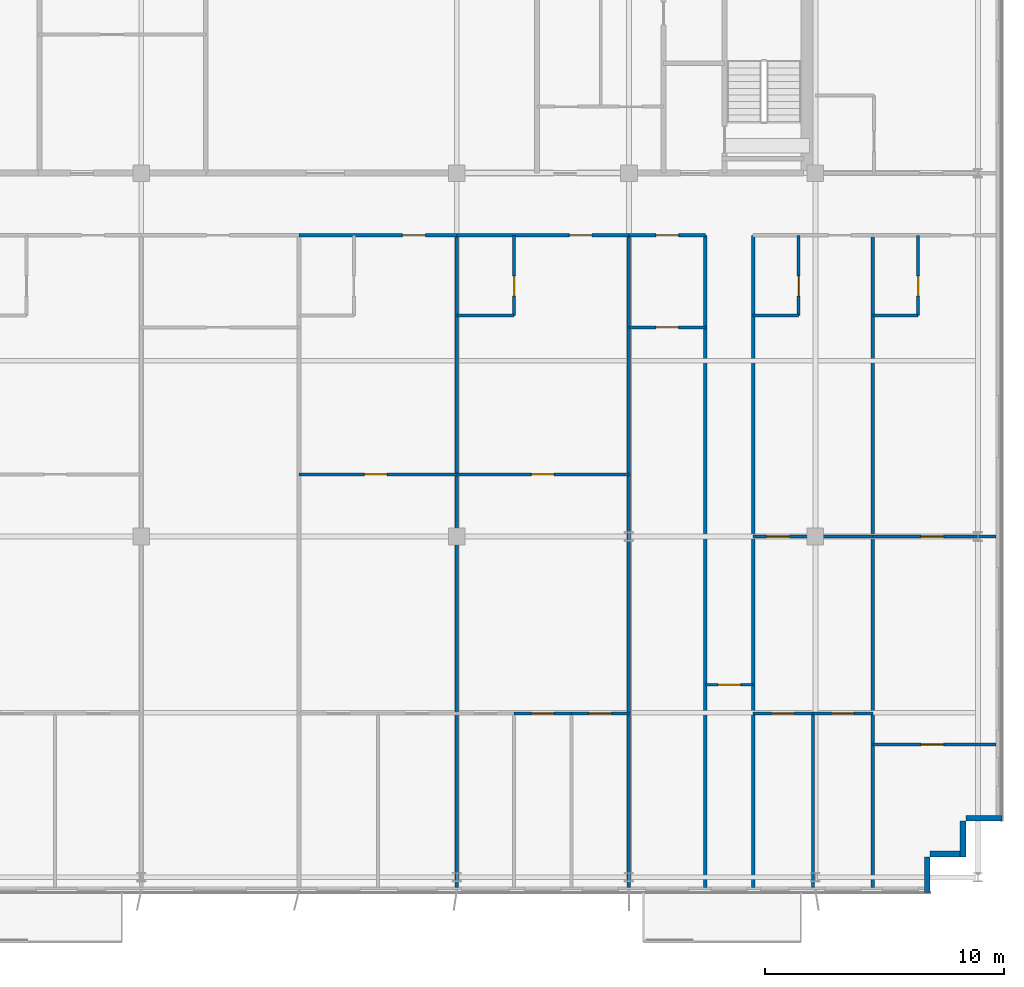
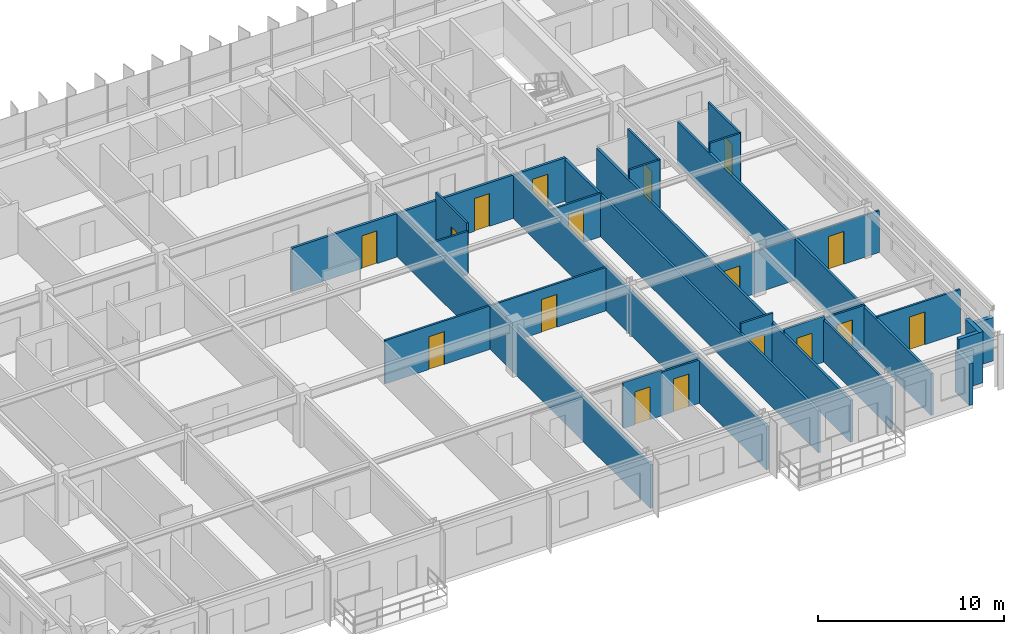
# One storey, part 17 of 22: 30 walls, 17 doors, 17 openings.
"""IFC4 building model written with IfcOpenShell, lengths in metres."""

from ifc_helpers import new_model, si_unit, direction, frame, frame_2d, origin, place, context, subcontext, project, spatial, rectangle, extrude, source, transform, mapped, material, layer, layer_set, type_object, element, fill, save


model = new_model("IFC4")

# Units and contexts
model_context = context("Model", 3, precision=1e-05, world=origin(), true_north=direction((0.0, 1.0)))
body_context = subcontext(model_context, "Body", "Model", "MODEL_VIEW")
ifc_project = project(units=[si_unit("LENGTHUNIT", "METRE"), si_unit("AREAUNIT", "SQUARE_METRE"), si_unit("VOLUMEUNIT", "CUBIC_METRE"), si_unit("PLANEANGLEUNIT", "RADIAN"), si_unit("MASSUNIT", "GRAM", prefix="KILO")], contexts=[model_context])

# Site, building, storey
site_placement = place(None, origin())
site = spatial("IfcSite", under=ifc_project, at=site_placement, CompositionType="ELEMENT")
building_placement = place(site_placement, origin())
building = spatial("IfcBuilding", under=site, at=building_placement, Name="Trelvane Seafront Commons", CompositionType="ELEMENT")
storey_placement = place(building_placement, frame((0.0, 0.0, 139.300048828125)))
storey = spatial("IfcBuildingStorey", under=building, at=storey_placement, Name="L36", CompositionType="ELEMENT", Elevation=139.300048828125)

# Walls
ifc_material_1 = material(Name="Precast concrete C40/50", Category="concrete")
ifc_layer_1 = layer(ifc_material_1, 0.239990234375, Name="ARCH-WALL-EXT240")
ifc_layer_set_1 = layer_set([ifc_layer_1], Name="Precast concrete C40/50")
wall_type_1 = type_object("IfcWallType", Name="ARCH-WALL-EXT240", PredefinedType="SOLIDWALL", material=ifc_layer_set_1)
wall_1_placement = place(storey_placement, frame((66.60009765625, 6.419921875, 0.0), z_axis=(0.0, 0.0, 1.0), x_axis=(-1.0, 0.0, 0.0)))
element("IfcWall", 1, at=wall_1_placement, inside=storey, type_object=wall_type_1, Name="EW-L36-00710", PredefinedType="SOLIDWALL", context=body_context, shape_type="SweptSolid", body=[
    extrude(rectangle(XDim=1.5, YDim=0.239990234375, at=frame_2d((0.75, 0.0))), origin(), (0.0, 0.0, 1.0), 2.849853515625),
])
for number, where, z_axis, x_axis, name in (
    (2, (64.97998046875, 6.300048828125, 0.0), (0.0, 0.0, 1.0), (0.0, -1.0, 0.0), "EW-L36-00711"),
    (3, (65.10009765625, 4.919921875, 0.0), (0.0, 0.0, 1.0), (-1.0, 0.0, 0.0), "EW-L36-00712"),
):
    element("IfcWall", number, at=place(storey_placement, frame(where, z_axis=z_axis, x_axis=x_axis)), inside=storey, type_object=wall_type_1, Name=name, PredefinedType="SOLIDWALL", context=body_context, shape_type="SweptSolid", body=[
        extrude(rectangle(XDim=1.5, YDim=0.239990234375, at=frame_2d((0.75, 0.0))), origin(), (0.0, 0.0, 1.0), 3.349853515625),
    ])
wall_2_placement = place(storey_placement, frame((63.47998046875, 4.800048828125, 0.0), z_axis=(0.0, 0.0, 1.0), x_axis=(0.0, -1.0, 0.0)))
element("IfcWall", 4, at=wall_2_placement, inside=storey, type_object=wall_type_1, Name="EW-L36-00713", PredefinedType="SOLIDWALL", context=body_context, shape_type="SweptSolid", body=[
    extrude(rectangle(XDim=1.5, YDim=0.239990234375, at=frame_2d((0.75, 0.0))), origin(), (0.0, 0.0, 1.0), 2.75),
])

# Wall, opening, door
ifc_material_2 = material(Name="Gypsum Drywall Acoustic Partition")
ifc_layer_2 = layer(ifc_material_2, 0.1201171875, Name="ARCH-WALL-PART120")
ifc_layer_set_2 = layer_set([ifc_layer_2], Name="Gypsum Drywall Acoustic Partition")
wall_type_2 = type_object("IfcWallType", Name="ARCH-WALL-PART120", PredefinedType="PARTITIONING", material=ifc_layer_set_2)
wall_3_placement = place(storey_placement, frame((37.199951171875, 20.800048828125, 0.0), z_axis=(0.0, 0.0, 1.0), x_axis=(1.0, 0.0, 0.0)))
wall_3 = element("IfcWall", 5, at=wall_3_placement, inside=storey, type_object=wall_type_2, Name="W-L36-U7-KL-084", PredefinedType="PARTITIONING", context=body_context, shape_type="SweptSolid", body=[
    extrude(rectangle(XDim=6.60009765625, YDim=0.1201171875, at=frame_2d((3.300048828125, 0.0))), origin(), (0.0, 0.0, 1.0), 2.849853515625),
])
opening_1_placement = place(wall_3_placement, frame((2.73388671875, 0.0, 0.0)))
opening_1 = element("IfcOpeningElement", 6, at=opening_1_placement, cuts=wall_3, Name="Opening D-L36-50", PredefinedType="OPENING", context=body_context, shape_type="SweptSolid", body=[
    extrude(rectangle(XDim=0.949951171875, YDim=2.14990234375, at=frame_2d((0.47509765625, 1.074951171875))), frame((0.0, 0.070068359375, 0.0), z_axis=(0.0, -1.0, 0.0), x_axis=(1.0, 0.0, 0.0)), (0.0, 0.0, 1.0), 0.14013671875),
])
ifc_material_3 = material(Name="Acoustic timber door leaf", Category="wood")
door_type_1 = type_object("IfcDoorType", Name="ARCH-DR-INT950", OperationType="NOTDEFINED", PredefinedType="DOOR", material=ifc_material_3)
shared_shape_1 = source(origin(), body_context, "Body", "SweptSolid", [
    extrude(rectangle(XDim=0.949951171875, YDim=2.14990234375, at=frame_2d((0.47509765625, 1.074951171875))), frame((0.0, 0.02490234375, 0.0), z_axis=(0.0, -1.0, 0.0), x_axis=(1.0, 0.0, 0.0)), (0.0, 0.0, 1.0), 0.050048828125),
])
door_1_placement = place(opening_1_placement, origin())
door_1 = element("IfcDoor", 7, at=door_1_placement, inside=storey, type_object=door_type_1, Name="L36 Door 50", OperationType="SINGLE_SWING_RIGHT", OverallHeight=2.14990234375, OverallWidth=0.949951171875, PredefinedType="DOOR", context=body_context, shape_type="MappedRepresentation", body=[
    mapped(shared_shape_1, transform((0.0, 0.0, 0.0), x_axis=(1.0, 0.0, 0.0), y_axis=(0.0, 1.0, 0.0), z_axis=(0.0, 0.0, 1.0), scale=1.0)),
])
fill(opening_1, door_1)

wall_4_placement = place(storey_placement, frame((43.800048828125, 20.800048828125, 0.0), z_axis=(0.0, 0.0, 1.0), x_axis=(1.0, 0.0, 0.0)))
wall_4 = element("IfcWall", 8, at=wall_4_placement, inside=storey, type_object=wall_type_2, Name="W-L36-U8-KL-091", PredefinedType="PARTITIONING", context=body_context, shape_type="SweptSolid", body=[
    extrude(rectangle(XDim=7.199951171875, YDim=0.1201171875, at=frame_2d((3.60009765625, 0.0))), origin(), (0.0, 0.0, 1.0), 2.849853515625),
])
opening_2_placement = place(wall_4_placement, frame((3.125, 0.0, 0.0)))
opening_2 = element("IfcOpeningElement", 9, at=opening_2_placement, cuts=wall_4, Name="Opening D-L36-55", PredefinedType="OPENING", context=body_context, shape_type="SweptSolid", body=[
    extrude(rectangle(XDim=0.949951171875, YDim=2.14990234375, at=frame_2d((0.47509765625, 1.074951171875))), frame((0.0, 0.070068359375, 0.0), z_axis=(0.0, -1.0, 0.0), x_axis=(1.0, 0.0, 0.0)), (0.0, 0.0, 1.0), 0.14013671875),
])
door_2_placement = place(opening_2_placement, origin())
door_2 = element("IfcDoor", 10, at=door_2_placement, inside=storey, type_object=door_type_1, Name="L36 Door 55", OperationType="SINGLE_SWING_LEFT", OverallHeight=2.14990234375, OverallWidth=0.949951171875, PredefinedType="DOOR", context=body_context, shape_type="MappedRepresentation", body=[
    mapped(shared_shape_1, transform((0.0, 0.0, 0.0), x_axis=(1.0, 0.0, 0.0), y_axis=(0.0, 1.0, 0.0), z_axis=(0.0, 0.0, 1.0), scale=1.0)),
])
fill(opening_2, door_2)

wall_5_placement = place(storey_placement, frame((46.199951171875, 27.449951171875, 0.0), z_axis=(0.0, 0.0, 1.0), x_axis=(0.0, 1.0, 0.0)))
wall_5 = element("IfcWall", 11, at=wall_5_placement, inside=storey, type_object=wall_type_2, Name="W-L36-U8-BE-092", PredefinedType="PARTITIONING", context=body_context, shape_type="SweptSolid", body=[
    extrude(rectangle(XDim=3.35009765625, YDim=0.1201171875, at=frame_2d((1.675048828125, 0.0))), origin(), (0.0, 0.0, 1.0), 3.349853515625),
])
opening_3_placement = place(wall_5_placement, frame((0.800048828125, 0.0, 0.0)))
opening_3 = element("IfcOpeningElement", 12, at=opening_3_placement, cuts=wall_5, Name="Opening D-L36-56", PredefinedType="OPENING", context=body_context, shape_type="SweptSolid", body=[
    extrude(rectangle(XDim=0.85009765625, YDim=2.10009765625, at=frame_2d((0.425048828125, 1.050048828125))), frame((0.0, 0.070068359375, 0.0), z_axis=(0.0, -1.0, 0.0), x_axis=(1.0, 0.0, 0.0)), (0.0, 0.0, 1.0), 0.14013671875),
])
door_type_2 = type_object("IfcDoorType", Name="ARCH-DR-INT850", OperationType="NOTDEFINED", PredefinedType="DOOR", material=ifc_material_3)
shared_shape_2 = source(origin(), body_context, "Body", "SweptSolid", [
    extrude(rectangle(XDim=0.85009765625, YDim=2.10009765625, at=frame_2d((0.425048828125, 1.050048828125))), frame((0.0, 0.02490234375, 0.0), z_axis=(0.0, -1.0, 0.0), x_axis=(1.0, 0.0, 0.0)), (0.0, 0.0, 1.0), 0.050048828125),
])
door_3_placement = place(opening_3_placement, origin())
door_3 = element("IfcDoor", 13, at=door_3_placement, inside=storey, type_object=door_type_2, Name="L36 Door 56", OperationType="SINGLE_SWING_RIGHT", OverallHeight=2.10009765625, OverallWidth=0.85009765625, PredefinedType="DOOR", context=body_context, shape_type="MappedRepresentation", body=[
    mapped(shared_shape_2, transform((0.0, 0.0, 0.0), x_axis=(1.0, 0.0, 0.0), y_axis=(0.0, 1.0, 0.0), z_axis=(0.0, 0.0, 1.0), scale=1.0)),
])
fill(opening_3, door_3)

# Wall
wall_6_placement = place(storey_placement, frame((43.800048828125, 27.449951171875, 0.0), z_axis=(0.0, 0.0, 1.0), x_axis=(1.0, 0.0, 0.0)))
element("IfcWall", 14, at=wall_6_placement, inside=storey, type_object=wall_type_2, Name="W-L36-U8-BS-093", PredefinedType="PARTITIONING", context=body_context, shape_type="SweptSolid", body=[
    extrude(rectangle(XDim=2.39990234375, YDim=0.1201171875, at=frame_2d((1.199951171875, 0.0))), origin(), (0.0, 0.0, 1.0), 2.849853515625),
])

# Wall, opening, door
wall_7_placement = place(storey_placement, frame((46.199951171875, 10.800048828125, 0.0), z_axis=(0.0, 0.0, 1.0), x_axis=(1.0, 0.0, 0.0)))
wall_7 = element("IfcWall", 15, at=wall_7_placement, inside=storey, type_object=wall_type_2, Name="W-L36-U8-YM-2-096", PredefinedType="PARTITIONING", context=body_context, shape_type="SweptSolid", body=[
    extrude(rectangle(XDim=2.400146484375, YDim=0.1201171875, at=frame_2d((1.2001953125, 0.0))), origin(), (0.0, 0.0, 1.0), 3.0),
])
opening_4_placement = place(wall_7_placement, frame((0.72509765625, 0.0, 0.0)))
opening_4 = element("IfcOpeningElement", 16, at=opening_4_placement, cuts=wall_7, Name="Opening D-L36-59", PredefinedType="OPENING", context=body_context, shape_type="SweptSolid", body=[
    extrude(rectangle(XDim=0.949951171875, YDim=2.14990234375, at=frame_2d((0.47509765625, 1.074951171875))), frame((0.0, 0.070068359375, 0.0), z_axis=(0.0, -1.0, 0.0), x_axis=(1.0, 0.0, 0.0)), (0.0, 0.0, 1.0), 0.14013671875),
])
door_4_placement = place(opening_4_placement, origin())
door_4 = element("IfcDoor", 17, at=door_4_placement, inside=storey, type_object=door_type_1, Name="L36 Door 59", OperationType="SINGLE_SWING_LEFT", OverallHeight=2.14990234375, OverallWidth=0.949951171875, PredefinedType="DOOR", context=body_context, shape_type="MappedRepresentation", body=[
    mapped(shared_shape_1, transform((0.0, 0.0, 0.0), x_axis=(1.0, 0.0, 0.0), y_axis=(0.0, 1.0, 0.0), z_axis=(0.0, 0.0, 1.0), scale=1.0)),
])
fill(opening_4, door_4)

wall_8_placement = place(storey_placement, frame((48.60009765625, 10.800048828125, 0.0), z_axis=(0.0, 0.0, 1.0), x_axis=(1.0, 0.0, 0.0)))
wall_8 = element("IfcWall", 18, at=wall_8_placement, inside=storey, type_object=wall_type_2, Name="W-L36-U8-YM-3-098", PredefinedType="PARTITIONING", context=body_context, shape_type="SweptSolid", body=[
    extrude(rectangle(XDim=2.39990234375, YDim=0.1201171875, at=frame_2d((1.199951171875, 0.0))), origin(), (0.0, 0.0, 1.0), 2.849853515625),
])
opening_5_placement = place(wall_8_placement, frame((0.72509765625, 0.0, 0.0)))
opening_5 = element("IfcOpeningElement", 19, at=opening_5_placement, cuts=wall_8, Name="Opening D-L36-60", PredefinedType="OPENING", context=body_context, shape_type="SweptSolid", body=[
    extrude(rectangle(XDim=0.949951171875, YDim=2.14990234375, at=frame_2d((0.47509765625, 1.074951171875))), frame((0.0, 0.070068359375, 0.0), z_axis=(0.0, -1.0, 0.0), x_axis=(1.0, 0.0, 0.0)), (0.0, 0.0, 1.0), 0.14013671875),
])
door_5_placement = place(opening_5_placement, origin())
door_5 = element("IfcDoor", 20, at=door_5_placement, inside=storey, type_object=door_type_1, Name="L36 Door 60", OperationType="SINGLE_SWING_RIGHT", OverallHeight=2.14990234375, OverallWidth=0.949951171875, PredefinedType="DOOR", context=body_context, shape_type="MappedRepresentation", body=[
    mapped(shared_shape_1, transform((0.0, 0.0, 0.0), x_axis=(1.0, 0.0, 0.0), y_axis=(0.0, 1.0, 0.0), z_axis=(0.0, 0.0, 1.0), scale=1.0)),
])
fill(opening_5, door_5)

wall_9_placement = place(storey_placement, frame((51.0, 26.949951171875, 0.0), z_axis=(0.0, 0.0, 1.0), x_axis=(1.0, 0.0, 0.0)))
wall_9 = element("IfcWall", 21, at=wall_9_placement, inside=storey, type_object=wall_type_2, Name="W-L36-U9-DIV-101", PredefinedType="PARTITIONING", context=body_context, shape_type="SweptSolid", body=[
    extrude(rectangle(XDim=3.199951171875, YDim=0.1201171875, at=frame_2d((1.60009765625, 0.0))), origin(), (0.0, 0.0, 1.0), 2.849853515625),
])
opening_6_placement = place(wall_9_placement, frame((1.125, 0.0, 0.0)))
opening_6 = element("IfcOpeningElement", 22, at=opening_6_placement, cuts=wall_9, Name="Opening D-L36-62", PredefinedType="OPENING", context=body_context, shape_type="SweptSolid", body=[
    extrude(rectangle(XDim=0.949951171875, YDim=2.14990234375, at=frame_2d((0.47509765625, 1.074951171875))), frame((0.0, 0.070068359375, 0.0), z_axis=(0.0, -1.0, 0.0), x_axis=(1.0, 0.0, 0.0)), (0.0, 0.0, 1.0), 0.14013671875),
])
door_6_placement = place(opening_6_placement, origin())
door_6 = element("IfcDoor", 23, at=door_6_placement, inside=storey, type_object=door_type_1, Name="L36 Door 62", OperationType="SINGLE_SWING_RIGHT", OverallHeight=2.14990234375, OverallWidth=0.949951171875, PredefinedType="DOOR", context=body_context, shape_type="MappedRepresentation", body=[
    mapped(shared_shape_1, transform((0.0, 0.0, 0.0), x_axis=(1.0, 0.0, 0.0), y_axis=(0.0, 1.0, 0.0), z_axis=(0.0, 0.0, 1.0), scale=1.0)),
])
fill(opening_6, door_6)

wall_10_placement = place(storey_placement, frame((54.199951171875, 12.0, 0.0), z_axis=(0.0, 0.0, 1.0), x_axis=(1.0, 0.0, 0.0)))
wall_10 = element("IfcWall", 24, at=wall_10_placement, inside=storey, type_object=wall_type_2, Name="W-L36-ARM-END-10-104", PredefinedType="PARTITIONING", context=body_context, shape_type="SweptSolid", body=[
    extrude(rectangle(XDim=2.0, YDim=0.1201171875, at=frame_2d((1.0, 0.0))), origin(), (0.0, 0.0, 1.0), 3.349853515625),
])
opening_7_placement = place(wall_10_placement, frame((0.52001953125, 0.0, 0.0)))
opening_7 = element("IfcOpeningElement", 25, at=opening_7_placement, cuts=wall_10, Name="Opening D-L36-63", PredefinedType="OPENING", context=body_context, shape_type="SweptSolid", body=[
    extrude(rectangle(XDim=0.949951171875, YDim=2.14990234375, at=frame_2d((0.47509765625, 1.074951171875))), frame((0.0, 0.070068359375, 0.0), z_axis=(0.0, -1.0, 0.0), x_axis=(1.0, 0.0, 0.0)), (0.0, 0.0, 1.0), 0.14013671875),
])
door_7_placement = place(opening_7_placement, origin())
door_7 = element("IfcDoor", 26, at=door_7_placement, inside=storey, type_object=door_type_1, Name="L36 Door 63", OperationType="SINGLE_SWING_LEFT", OverallHeight=2.14990234375, OverallWidth=0.949951171875, PredefinedType="DOOR", context=body_context, shape_type="MappedRepresentation", body=[
    mapped(shared_shape_1, transform((0.0, 0.0, 0.0), x_axis=(1.0, 0.0, 0.0), y_axis=(0.0, 1.0, 0.0), z_axis=(0.0, 0.0, 1.0), scale=1.0)),
])
fill(opening_7, door_7)

wall_11_placement = place(storey_placement, frame((56.199951171875, 18.199951171875, 0.0), z_axis=(0.0, 0.0, 1.0), x_axis=(1.0, 0.0, 0.0)))
wall_11 = element("IfcWall", 27, at=wall_11_placement, inside=storey, type_object=wall_type_2, Name="W-L36-U11-KL-105", PredefinedType="PARTITIONING", context=body_context, shape_type="SweptSolid", body=[
    extrude(rectangle(XDim=5.0, YDim=0.1201171875, at=frame_2d((2.5, 0.0))), origin(), (0.0, 0.0, 1.0), 2.75),
])
opening_8_placement = place(wall_11_placement, frame((0.56298828125, 0.0, 0.0)))
opening_8 = element("IfcOpeningElement", 28, at=opening_8_placement, cuts=wall_11, Name="Opening D-L36-64", PredefinedType="OPENING", context=body_context, shape_type="SweptSolid", body=[
    extrude(rectangle(XDim=0.949951171875, YDim=2.14990234375, at=frame_2d((0.47509765625, 1.074951171875))), frame((0.0, 0.070068359375, 0.0), z_axis=(0.0, -1.0, 0.0), x_axis=(1.0, 0.0, 0.0)), (0.0, 0.0, 1.0), 0.14013671875),
])
door_8_placement = place(opening_8_placement, origin())
door_8 = element("IfcDoor", 29, at=door_8_placement, inside=storey, type_object=door_type_1, Name="L36 Door 64", OperationType="SINGLE_SWING_RIGHT", OverallHeight=2.14990234375, OverallWidth=0.949951171875, PredefinedType="DOOR", context=body_context, shape_type="MappedRepresentation", body=[
    mapped(shared_shape_1, transform((0.0, 0.0, 0.0), x_axis=(1.0, 0.0, 0.0), y_axis=(0.0, 1.0, 0.0), z_axis=(0.0, 0.0, 1.0), scale=1.0)),
])
fill(opening_8, door_8)

wall_12_placement = place(storey_placement, frame((58.10009765625, 27.449951171875, 0.0), z_axis=(0.0, 0.0, 1.0), x_axis=(0.0, 1.0, 0.0)))
wall_12 = element("IfcWall", 30, at=wall_12_placement, inside=storey, type_object=wall_type_2, Name="W-L36-U11-BE-106", PredefinedType="PARTITIONING", context=body_context, shape_type="SweptSolid", body=[
    extrude(rectangle(XDim=3.35009765625, YDim=0.1201171875, at=frame_2d((1.675048828125, 0.0))), origin(), (0.0, 0.0, 1.0), 3.349853515625),
])
opening_9_placement = place(wall_12_placement, frame((0.800048828125, 0.0, 0.0)))
opening_9 = element("IfcOpeningElement", 31, at=opening_9_placement, cuts=wall_12, Name="Opening D-L36-65", PredefinedType="OPENING", context=body_context, shape_type="SweptSolid", body=[
    extrude(rectangle(XDim=0.85009765625, YDim=2.10009765625, at=frame_2d((0.425048828125, 1.050048828125))), frame((0.0, 0.070068359375, 0.0), z_axis=(0.0, -1.0, 0.0), x_axis=(1.0, 0.0, 0.0)), (0.0, 0.0, 1.0), 0.14013671875),
])
door_9_placement = place(opening_9_placement, origin())
door_9 = element("IfcDoor", 32, at=door_9_placement, inside=storey, type_object=door_type_2, Name="L36 Door 65", OperationType="SINGLE_SWING_LEFT", OverallHeight=2.10009765625, OverallWidth=0.85009765625, PredefinedType="DOOR", context=body_context, shape_type="MappedRepresentation", body=[
    mapped(shared_shape_2, transform((0.0, 0.0, 0.0), x_axis=(1.0, 0.0, 0.0), y_axis=(0.0, 1.0, 0.0), z_axis=(0.0, 0.0, 1.0), scale=1.0)),
])
fill(opening_9, door_9)

# Wall
wall_13_placement = place(storey_placement, frame((56.199951171875, 27.449951171875, 0.0), z_axis=(0.0, 0.0, 1.0), x_axis=(1.0, 0.0, 0.0)))
element("IfcWall", 33, at=wall_13_placement, inside=storey, type_object=wall_type_2, Name="W-L36-U11-BS-107", PredefinedType="PARTITIONING", context=body_context, shape_type="SweptSolid", body=[
    extrude(rectangle(XDim=1.900146484375, YDim=0.1201171875, at=frame_2d((0.9501953125, 0.0))), origin(), (0.0, 0.0, 1.0), 3.349853515625),
])

# Wall, opening, door
wall_14_placement = place(storey_placement, frame((56.199951171875, 10.800048828125, 0.0), z_axis=(0.0, 0.0, 1.0), x_axis=(1.0, 0.0, 0.0)))
wall_14 = element("IfcWall", 34, at=wall_14_placement, inside=storey, type_object=wall_type_2, Name="W-L36-U11-YM-1-109", PredefinedType="PARTITIONING", context=body_context, shape_type="SweptSolid", body=[
    extrude(rectangle(XDim=2.5, YDim=0.1201171875, at=frame_2d((1.25, 0.0))), origin(), (0.0, 0.0, 1.0), 3.0),
])
opening_10_placement = place(wall_14_placement, frame((0.77490234375, 0.0, 0.0)))
opening_10 = element("IfcOpeningElement", 35, at=opening_10_placement, cuts=wall_14, Name="Opening D-L36-67", PredefinedType="OPENING", context=body_context, shape_type="SweptSolid", body=[
    extrude(rectangle(XDim=0.949951171875, YDim=2.14990234375, at=frame_2d((0.47509765625, 1.074951171875))), frame((0.0, 0.070068359375, 0.0), z_axis=(0.0, -1.0, 0.0), x_axis=(1.0, 0.0, 0.0)), (0.0, 0.0, 1.0), 0.14013671875),
])
door_10_placement = place(opening_10_placement, origin())
door_10 = element("IfcDoor", 36, at=door_10_placement, inside=storey, type_object=door_type_1, Name="L36 Door 67", OperationType="SINGLE_SWING_LEFT", OverallHeight=2.14990234375, OverallWidth=0.949951171875, PredefinedType="DOOR", context=body_context, shape_type="MappedRepresentation", body=[
    mapped(shared_shape_1, transform((0.0, 0.0, 0.0), x_axis=(1.0, 0.0, 0.0), y_axis=(0.0, 1.0, 0.0), z_axis=(0.0, 0.0, 1.0), scale=1.0)),
])
fill(opening_10, door_10)

wall_15_placement = place(storey_placement, frame((58.699951171875, 10.800048828125, 0.0), z_axis=(0.0, 0.0, 1.0), x_axis=(1.0, 0.0, 0.0)))
wall_15 = element("IfcWall", 37, at=wall_15_placement, inside=storey, type_object=wall_type_2, Name="W-L36-U11-YM-2-110", PredefinedType="PARTITIONING", context=body_context, shape_type="SweptSolid", body=[
    extrude(rectangle(XDim=2.5, YDim=0.1201171875, at=frame_2d((1.25, 0.0))), origin(), (0.0, 0.0, 1.0), 2.849853515625),
])
opening_11_placement = place(wall_15_placement, frame((0.77490234375, 0.0, 0.0)))
opening_11 = element("IfcOpeningElement", 38, at=opening_11_placement, cuts=wall_15, Name="Opening D-L36-68", PredefinedType="OPENING", context=body_context, shape_type="SweptSolid", body=[
    extrude(rectangle(XDim=0.949951171875, YDim=2.14990234375, at=frame_2d((0.47509765625, 1.074951171875))), frame((0.0, 0.070068359375, 0.0), z_axis=(0.0, -1.0, 0.0), x_axis=(1.0, 0.0, 0.0)), (0.0, 0.0, 1.0), 0.14013671875),
])
door_11_placement = place(opening_11_placement, origin())
door_11 = element("IfcDoor", 39, at=door_11_placement, inside=storey, type_object=door_type_1, Name="L36 Door 68", OperationType="SINGLE_SWING_RIGHT", OverallHeight=2.14990234375, OverallWidth=0.949951171875, PredefinedType="DOOR", context=body_context, shape_type="MappedRepresentation", body=[
    mapped(shared_shape_1, transform((0.0, 0.0, 0.0), x_axis=(1.0, 0.0, 0.0), y_axis=(0.0, 1.0, 0.0), z_axis=(0.0, 0.0, 1.0), scale=1.0)),
])
fill(opening_11, door_11)

# Wall
wall_16_placement = place(storey_placement, frame((58.699951171875, 3.52490234375, 0.0), z_axis=(0.0, 0.0, 1.0), x_axis=(0.0, 1.0, 0.0)))
element("IfcWall", 40, at=wall_16_placement, inside=storey, type_object=wall_type_2, Name="W-L36-U11-BDV-1-111", PredefinedType="PARTITIONING", context=body_context, shape_type="SweptSolid", body=[
    extrude(rectangle(XDim=7.275146484375, YDim=0.1201171875, at=frame_2d((3.6376953125, 0.0))), origin(), (0.0, 0.0, 1.0), 2.75),
])

# Wall, opening, door
wall_17_placement = place(storey_placement, frame((61.199951171875, 18.199951171875, 0.0), z_axis=(0.0, 0.0, 1.0), x_axis=(1.0, 0.0, 0.0)))
wall_17 = element("IfcWall", 41, at=wall_17_placement, inside=storey, type_object=wall_type_2, Name="W-L36-U12-KL-112", PredefinedType="PARTITIONING", context=body_context, shape_type="SweptSolid", body=[
    extrude(rectangle(XDim=5.16015625, YDim=0.1201171875, at=frame_2d((2.580078125, 0.0))), origin(), (0.0, 0.0, 1.0), 2.75),
])
opening_12_placement = place(wall_17_placement, frame((2.013916015625, 0.0, 0.0)))
opening_12 = element("IfcOpeningElement", 42, at=opening_12_placement, cuts=wall_17, Name="Opening D-L36-69", PredefinedType="OPENING", context=body_context, shape_type="SweptSolid", body=[
    extrude(rectangle(XDim=0.949951171875, YDim=2.14990234375, at=frame_2d((0.47509765625, 1.074951171875))), frame((0.0, 0.070068359375, 0.0), z_axis=(0.0, -1.0, 0.0), x_axis=(1.0, 0.0, 0.0)), (0.0, 0.0, 1.0), 0.14013671875),
])
door_12_placement = place(opening_12_placement, origin())
door_12 = element("IfcDoor", 43, at=door_12_placement, inside=storey, type_object=door_type_1, Name="L36 Door 69", OperationType="SINGLE_SWING_LEFT", OverallHeight=2.14990234375, OverallWidth=0.949951171875, PredefinedType="DOOR", context=body_context, shape_type="MappedRepresentation", body=[
    mapped(shared_shape_1, transform((0.0, 0.0, 0.0), x_axis=(1.0, 0.0, 0.0), y_axis=(0.0, 1.0, 0.0), z_axis=(0.0, 0.0, 1.0), scale=1.0)),
])
fill(opening_12, door_12)

wall_18_placement = place(storey_placement, frame((63.10009765625, 27.449951171875, 0.0), z_axis=(0.0, 0.0, 1.0), x_axis=(0.0, 1.0, 0.0)))
wall_18 = element("IfcWall", 44, at=wall_18_placement, inside=storey, type_object=wall_type_2, Name="W-L36-U12-BE-113", PredefinedType="PARTITIONING", context=body_context, shape_type="SweptSolid", body=[
    extrude(rectangle(XDim=3.35009765625, YDim=0.1201171875, at=frame_2d((1.675048828125, 0.0))), origin(), (0.0, 0.0, 1.0), 3.349853515625),
])
opening_13_placement = place(wall_18_placement, frame((0.800048828125, 0.0, 0.0)))
opening_13 = element("IfcOpeningElement", 45, at=opening_13_placement, cuts=wall_18, Name="Opening D-L36-70", PredefinedType="OPENING", context=body_context, shape_type="SweptSolid", body=[
    extrude(rectangle(XDim=0.85009765625, YDim=2.10009765625, at=frame_2d((0.425048828125, 1.050048828125))), frame((0.0, 0.070068359375, 0.0), z_axis=(0.0, -1.0, 0.0), x_axis=(1.0, 0.0, 0.0)), (0.0, 0.0, 1.0), 0.14013671875),
])
door_13_placement = place(opening_13_placement, origin())
door_13 = element("IfcDoor", 46, at=door_13_placement, inside=storey, type_object=door_type_2, Name="L36 Door 70", OperationType="SINGLE_SWING_RIGHT", OverallHeight=2.10009765625, OverallWidth=0.85009765625, PredefinedType="DOOR", context=body_context, shape_type="MappedRepresentation", body=[
    mapped(shared_shape_2, transform((0.0, 0.0, 0.0), x_axis=(1.0, 0.0, 0.0), y_axis=(0.0, 1.0, 0.0), z_axis=(0.0, 0.0, 1.0), scale=1.0)),
])
fill(opening_13, door_13)

# Wall
wall_19_placement = place(storey_placement, frame((61.199951171875, 27.449951171875, 0.0), z_axis=(0.0, 0.0, 1.0), x_axis=(1.0, 0.0, 0.0)))
element("IfcWall", 47, at=wall_19_placement, inside=storey, type_object=wall_type_2, Name="W-L36-U12-BS-114", PredefinedType="PARTITIONING", context=body_context, shape_type="SweptSolid", body=[
    extrude(rectangle(XDim=1.900146484375, YDim=0.1201171875, at=frame_2d((0.9501953125, 0.0))), origin(), (0.0, 0.0, 1.0), 3.349853515625),
])

# Wall, opening, door
wall_20_placement = place(storey_placement, frame((61.199951171875, 9.5, 0.0), z_axis=(0.0, 0.0, 1.0), x_axis=(1.0, 0.0, 0.0)))
wall_20 = element("IfcWall", 48, at=wall_20_placement, inside=storey, type_object=wall_type_2, Name="W-L36-U12-YM-1-116", PredefinedType="PARTITIONING", context=body_context, shape_type="SweptSolid", body=[
    extrude(rectangle(XDim=5.16015625, YDim=0.1201171875, at=frame_2d((2.580078125, 0.0))), origin(), (0.0, 0.0, 1.0), 2.849853515625),
])
opening_14_placement = place(wall_20_placement, frame((2.013916015625, 0.0, 0.0)))
opening_14 = element("IfcOpeningElement", 49, at=opening_14_placement, cuts=wall_20, Name="Opening D-L36-72", PredefinedType="OPENING", context=body_context, shape_type="SweptSolid", body=[
    extrude(rectangle(XDim=0.949951171875, YDim=2.14990234375, at=frame_2d((0.47509765625, 1.074951171875))), frame((0.0, 0.070068359375, 0.0), z_axis=(0.0, -1.0, 0.0), x_axis=(1.0, 0.0, 0.0)), (0.0, 0.0, 1.0), 0.14013671875),
])
door_14_placement = place(opening_14_placement, origin())
door_14 = element("IfcDoor", 50, at=door_14_placement, inside=storey, type_object=door_type_1, Name="L36 Door 72", OperationType="SINGLE_SWING_RIGHT", OverallHeight=2.14990234375, OverallWidth=0.949951171875, PredefinedType="DOOR", context=body_context, shape_type="MappedRepresentation", body=[
    mapped(shared_shape_1, transform((0.0, 0.0, 0.0), x_axis=(1.0, 0.0, 0.0), y_axis=(0.0, 1.0, 0.0), z_axis=(0.0, 0.0, 1.0), scale=1.0)),
])
fill(opening_14, door_14)

# Walls
ifc_layer_3 = layer(ifc_material_2, 0.14990234375, Name="ARCH-WALL-PART150")
ifc_layer_set_3 = layer_set([ifc_layer_3], Name="Gypsum Drywall Acoustic Partition")
wall_type_3 = type_object("IfcWallType", Name="ARCH-WALL-PART150", PredefinedType="PARTITIONING", material=ifc_layer_set_3)
for number, where, z_axis, x_axis, name in (
    (51, (43.800048828125, 3.52490234375, 0.0), (0.0, 0.0, 1.0), (0.0, 1.0, 0.0), "W-L36-PW-7-055"),
    (52, (51.0, 3.52490234375, 0.0), (0.0, 0.0, 1.0), (0.0, 1.0, 0.0), "W-L36-PW-8-056"),
):
    element("IfcWall", number, at=place(storey_placement, frame(where, z_axis=z_axis, x_axis=x_axis)), inside=storey, type_object=wall_type_3, Name=name, PredefinedType="PARTITIONING", context=body_context, shape_type="SweptSolid", body=[
        extrude(rectangle(XDim=27.275146484375, YDim=0.14990234375, at=frame_2d((13.6376953125, 0.0))), origin(), (0.0, 0.0, 1.0), 2.849853515625),
    ])
wall_21_placement = place(storey_placement, frame((61.199951171875, 3.52490234375, 0.0), z_axis=(0.0, 0.0, 1.0), x_axis=(0.0, 1.0, 0.0)))
element("IfcWall", 53, at=wall_21_placement, inside=storey, type_object=wall_type_3, Name="W-L36-PW-11-057", PredefinedType="PARTITIONING", context=body_context, shape_type="SweptSolid", body=[
    extrude(rectangle(XDim=27.275146484375, YDim=0.14990234375, at=frame_2d((13.6376953125, 0.0))), origin(), (0.0, 0.0, 1.0), 2.75),
])

# Wall, opening, door
wall_22_placement = place(storey_placement, frame((37.199951171875, 30.800048828125, 0.0), z_axis=(0.0, 0.0, 1.0), x_axis=(1.0, 0.0, 0.0)))
wall_22 = element("IfcWall", 54, at=wall_22_placement, inside=storey, type_object=wall_type_3, Name="W-L36-CS-BAY-7-087", PredefinedType="PARTITIONING", context=body_context, shape_type="SweptSolid", body=[
    extrude(rectangle(XDim=6.60009765625, YDim=0.14990234375, at=frame_2d((3.300048828125, 0.0))), origin(), (0.0, 0.0, 1.0), 2.849853515625),
])
opening_15_placement = place(wall_22_placement, frame((4.3369140625, 0.0, 0.0)))
opening_15 = element("IfcOpeningElement", 55, at=opening_15_placement, cuts=wall_22, Name="Opening FD-L36-52", PredefinedType="OPENING", context=body_context, shape_type="SweptSolid", body=[
    extrude(rectangle(XDim=0.949951171875, YDim=2.14990234375, at=frame_2d((0.47509765625, 1.074951171875))), frame((0.0, 0.0849609375, 0.0), z_axis=(0.0, -1.0, 0.0), x_axis=(1.0, 0.0, 0.0)), (0.0, 0.0, 1.0), 0.169921875),
])
ifc_material_4 = material(Name="Powder-coated aluminium frame", Category="aluminium")
door_type_3 = type_object("IfcDoorType", Name="ARCH-DR-FD60-950", OperationType="NOTDEFINED", PredefinedType="DOOR", material=ifc_material_4)
door_15_placement = place(opening_15_placement, origin())
door_15 = element("IfcDoor", 56, at=door_15_placement, inside=storey, type_object=door_type_3, Name="L36 Unit 07 Entrance Door", OperationType="SINGLE_SWING_RIGHT", OverallHeight=2.14990234375, OverallWidth=0.949951171875, PredefinedType="DOOR", context=body_context, shape_type="MappedRepresentation", body=[
    mapped(shared_shape_1, transform((0.0, 0.0, 0.0), x_axis=(1.0, 0.0, 0.0), y_axis=(0.0, 1.0, 0.0), z_axis=(0.0, 0.0, 1.0), scale=1.0)),
])
fill(opening_15, door_15)

wall_23_placement = place(storey_placement, frame((43.800048828125, 30.800048828125, 0.0), z_axis=(0.0, 0.0, 1.0), x_axis=(1.0, 0.0, 0.0)))
wall_23 = element("IfcWall", 57, at=wall_23_placement, inside=storey, type_object=wall_type_3, Name="W-L36-CS-BAY-8-094", PredefinedType="PARTITIONING", context=body_context, shape_type="SweptSolid", body=[
    extrude(rectangle(XDim=7.199951171875, YDim=0.14990234375, at=frame_2d((3.60009765625, 0.0))), origin(), (0.0, 0.0, 1.0), 2.849853515625),
])
opening_16_placement = place(wall_23_placement, frame((4.7060546875, 0.0, 0.0)))
opening_16 = element("IfcOpeningElement", 58, at=opening_16_placement, cuts=wall_23, Name="Opening FD-L36-57", PredefinedType="OPENING", context=body_context, shape_type="SweptSolid", body=[
    extrude(rectangle(XDim=0.949951171875, YDim=2.14990234375, at=frame_2d((0.47509765625, 1.074951171875))), frame((0.0, 0.0849609375, 0.0), z_axis=(0.0, -1.0, 0.0), x_axis=(1.0, 0.0, 0.0)), (0.0, 0.0, 1.0), 0.169921875),
])
door_16_placement = place(opening_16_placement, origin())
door_16 = element("IfcDoor", 59, at=door_16_placement, inside=storey, type_object=door_type_3, Name="L36 Unit 08 Entrance Door", OperationType="SINGLE_SWING_LEFT", OverallHeight=2.14990234375, OverallWidth=0.949951171875, PredefinedType="DOOR", context=body_context, shape_type="MappedRepresentation", body=[
    mapped(shared_shape_1, transform((0.0, 0.0, 0.0), x_axis=(1.0, 0.0, 0.0), y_axis=(0.0, 1.0, 0.0), z_axis=(0.0, 0.0, 1.0), scale=1.0)),
])
fill(opening_16, door_16)

wall_24_placement = place(storey_placement, frame((51.0, 30.800048828125, 0.0), z_axis=(0.0, 0.0, 1.0), x_axis=(1.0, 0.0, 0.0)))
wall_24 = element("IfcWall", 60, at=wall_24_placement, inside=storey, type_object=wall_type_3, Name="W-L36-CS-BAY-9-100", PredefinedType="PARTITIONING", context=body_context, shape_type="SweptSolid", body=[
    extrude(rectangle(XDim=3.199951171875, YDim=0.14990234375, at=frame_2d((1.60009765625, 0.0))), origin(), (0.0, 0.0, 1.0), 2.849853515625),
])
opening_17_placement = place(wall_24_placement, frame((1.125, 0.0, 0.0)))
opening_17 = element("IfcOpeningElement", 61, at=opening_17_placement, cuts=wall_24, Name="Opening FD-L36-61", PredefinedType="OPENING", context=body_context, shape_type="SweptSolid", body=[
    extrude(rectangle(XDim=0.949951171875, YDim=2.14990234375, at=frame_2d((0.47509765625, 1.074951171875))), frame((0.0, 0.0849609375, 0.0), z_axis=(0.0, -1.0, 0.0), x_axis=(1.0, 0.0, 0.0)), (0.0, 0.0, 1.0), 0.169921875),
])
door_17_placement = place(opening_17_placement, origin())
door_17 = element("IfcDoor", 62, at=door_17_placement, inside=storey, type_object=door_type_3, Name="L36 Bay 09 Entrance Door", OperationType="SINGLE_SWING_LEFT", OverallHeight=2.14990234375, OverallWidth=0.949951171875, PredefinedType="DOOR", context=body_context, shape_type="MappedRepresentation", body=[
    mapped(shared_shape_1, transform((0.0, 0.0, 0.0), x_axis=(1.0, 0.0, 0.0), y_axis=(0.0, 1.0, 0.0), z_axis=(0.0, 0.0, 1.0), scale=1.0)),
])
fill(opening_17, door_17)

# Walls
for number, where, z_axis, x_axis, name in (
    (63, (54.199951171875, 3.52490234375, 0.0), (0.0, 0.0, 1.0), (0.0, 1.0, 0.0), "W-L36-ARM-W-10-102"),
    (64, (56.199951171875, 3.52490234375, 0.0), (0.0, 0.0, 1.0), (0.0, 1.0, 0.0), "W-L36-ARM-E-10-103"),
):
    element("IfcWall", number, at=place(storey_placement, frame(where, z_axis=z_axis, x_axis=x_axis)), inside=storey, type_object=wall_type_3, Name=name, PredefinedType="PARTITIONING", context=body_context, shape_type="SweptSolid", body=[
        extrude(rectangle(XDim=27.275146484375, YDim=0.14990234375, at=frame_2d((13.6376953125, 0.0))), origin(), (0.0, 0.0, 1.0), 2.75),
    ])

save(model, "model.ifc")
